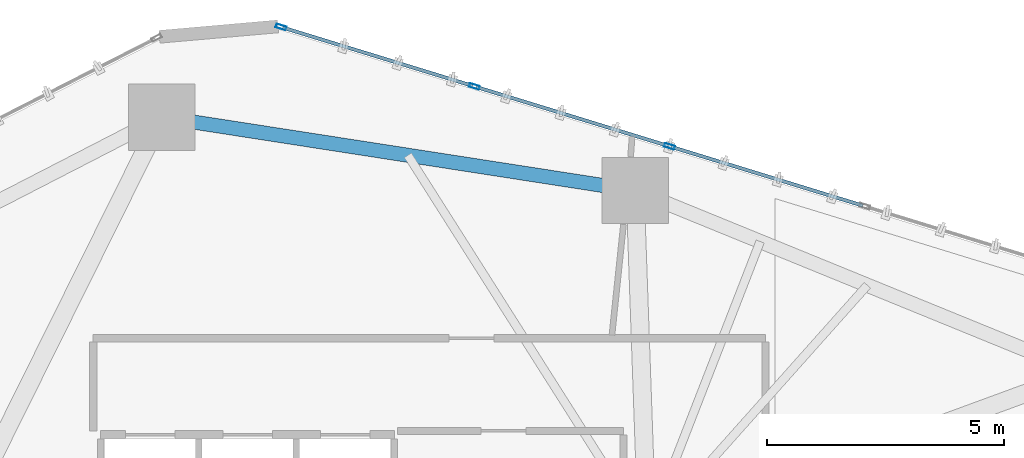
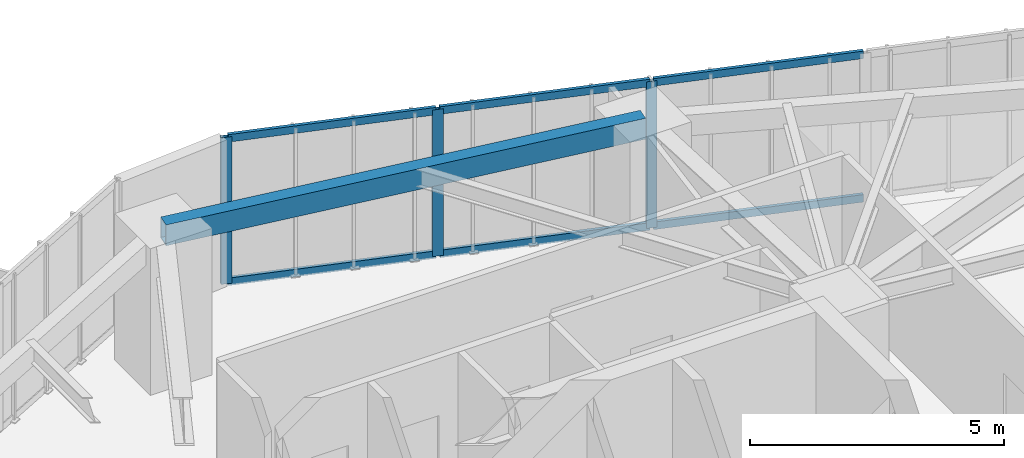
# One storey, part 16 of 24: 9 members, 1 beam, 1 element without a shape of its own.
"""IFC4 building model written with IfcOpenShell, lengths in metres."""

from ifc_helpers import new_model, si_unit, direction, frame, origin, origin_2d, place, context, subcontext, project, spatial, hollow_rectangle, extrude, source, transform, mapped, material, layer, layer_set, material_profile, profile_set, type_object, type_shapes, element, aggregate, save


model = new_model("IFC4")

# Units and contexts
model_context = context("Model", 3, precision=1e-05, world=origin(), true_north=direction((0.0, 1.0)))
body_context = subcontext(model_context, "Body", "Model", "MODEL_VIEW")
ifc_project = project(units=[si_unit("LENGTHUNIT", "METRE"), si_unit("AREAUNIT", "SQUARE_METRE"), si_unit("VOLUMEUNIT", "CUBIC_METRE"), si_unit("PLANEANGLEUNIT", "RADIAN"), si_unit("MASSUNIT", "GRAM", prefix="KILO")], contexts=[model_context])

# Site, building, storey
site_placement = place(None, origin())
site = spatial("IfcSite", under=ifc_project, at=site_placement, CompositionType="ELEMENT")
building_placement = place(site_placement, origin())
building = spatial("IfcBuilding", under=site, at=building_placement, Name="Talar Marvaseh", CompositionType="ELEMENT")
storey_placement = place(building_placement, frame((0.0, 0.0, 39.199951171875)))
storey = spatial("IfcBuildingStorey", under=building, at=storey_placement, Name="L09", CompositionType="ELEMENT", Elevation=39.199951171875)

# Beam
ifc_material_1 = material(Name="Steel S355", Category="steel")
ifc_material_profile_1 = material_profile(ifc_material_1, hollow_rectangle(XDim=0.300048828125, YDim=0.5, WallThickness=0.02001953125, at=origin_2d()), Name="RHS500x300x20")
ifc_profile_set_1 = profile_set([ifc_material_profile_1], Name="Steel S355")
beam_type = type_object("IfcBeamType", Name="Zone 1 Perimeter Spandrel Beam RHS500x300x20", PredefinedType="SPANDREL", material=ifc_profile_set_1)
beam_placement = place(storey_placement, frame((23.047119140625, 45.6669921875, 3.27001953125), z_axis=(0.988210751461, -0.153099675693, 0.0), x_axis=(0.153099675693, 0.988210751461, 0.0)))
element("IfcBeam", 1, at=beam_placement, inside=storey, type_object=beam_type, Name="L09 Zone 1 Perimeter Spandrel Beam RHS500x300x20", PredefinedType="SPANDREL", context=body_context, shape_type="SweptSolid", body=[
    extrude(hollow_rectangle(XDim=0.300048828125, YDim=0.5, WallThickness=0.02001953125, at=origin_2d()), origin(), (0.0, 0.0, 1.0), 10.1181640625),
])

# Curtain wall, members
ifc_material_2 = material(Name="Architectural Aluminium", Category="aluminium")
ifc_layer = layer(ifc_material_2, 0.219970703125)
ifc_layer_set = layer_set([ifc_layer], Name="Architectural Aluminium")
curtain_wall_type = type_object("IfcCurtainWallType", Name="Unitised Low-E Museum Curtain Wall Z1", PredefinedType="NOTDEFINED", material=ifc_layer_set)
curtain_wall_placement = place(storey_placement, origin())
curtain_wall = element("IfcCurtainWall", 2, at=curtain_wall_placement, inside=storey, type_object=curtain_wall_type, Name="L09 Unitised Low-E Museum Curtain Wall Z1", PredefinedType="NOTDEFINED")
ifc_material_profile_2 = material_profile(ifc_material_2, hollow_rectangle(XDim=0.080078125, YDim=0.219970703125, WallThickness=0.0048828125, at=origin_2d()), Name="RHS220x80x5")
ifc_profile_set_2 = profile_set([ifc_material_profile_2], Name="Architectural Aluminium")
member_type_1 = type_object("IfcMemberType", Name="Unitised Curtain Wall Heavy Mullion RHS220x80x5", PredefinedType="MULLION", material=ifc_profile_set_2)
shared_shape_1 = source(origin(), body_context, "Body", "SweptSolid", [
    extrude(hollow_rectangle(XDim=0.080078125, YDim=0.219970703125, WallThickness=0.0048828125, at=origin_2d()), origin(), (0.0, 0.0, 1.0), 3.52001953125),
])
type_shapes(member_type_1, [shared_shape_1])
member_1_placement = place(storey_placement, frame((25.56689453125, 47.5693359375, 0.0), z_axis=(0.0, 0.0, 1.0), x_axis=(0.293508478326, 0.955956470322, 0.0)))
member_1 = element("IfcMember", 3, at=member_1_placement, type_object=member_type_1, Name="CW-Z1 mullion 1", PredefinedType="MULLION", context=body_context, shape_type="MappedRepresentation", body=[
    mapped(shared_shape_1, transform((0.0, 0.0, 0.0), x_axis=(1.0, 0.0, 0.0), y_axis=(0.0, 1.0, 0.0), z_axis=(0.0, 0.0, 1.0), scale=1.0)),
])
member_2_placement = place(storey_placement, frame((29.650634765625, 46.3154296875, 0.0), z_axis=(0.0, 0.0, 1.0), x_axis=(0.293508478326, 0.955956470322, 0.0)))
member_2 = element("IfcMember", 4, at=member_2_placement, type_object=member_type_1, Name="CW-Z1 mullion 2", PredefinedType="MULLION", context=body_context, shape_type="MappedRepresentation", body=[
    mapped(shared_shape_1, transform((0.0, 0.0, 0.0), x_axis=(1.0, 0.0, 0.0), y_axis=(0.0, 1.0, 0.0), z_axis=(0.0, 0.0, 1.0), scale=1.0)),
])
member_3_placement = place(storey_placement, frame((33.7724609375, 45.0498046875, 0.0), z_axis=(0.0, 0.0, 1.0), x_axis=(0.293508478326, 0.955956470322, 0.0)))
member_3 = element("IfcMember", 5, at=member_3_placement, type_object=member_type_1, Name="CW-Z1 mullion 3", PredefinedType="MULLION", context=body_context, shape_type="MappedRepresentation", body=[
    mapped(shared_shape_1, transform((0.0, 0.0, 0.0), x_axis=(1.0, 0.0, 0.0), y_axis=(0.0, 1.0, 0.0), z_axis=(0.0, 0.0, 1.0), scale=1.0)),
])
ifc_material_profile_3 = material_profile(ifc_material_2, hollow_rectangle(XDim=0.074951171875, YDim=0.179931640625, WallThickness=0.0048828125, at=origin_2d()), Name="RHS180x75x5")
ifc_profile_set_3 = profile_set([ifc_material_profile_3], Name="Architectural Aluminium")
member_type_2 = type_object("IfcMemberType", Name="Unitised Curtain Wall Transom RHS180x75x5", PredefinedType="USERDEFINED", material=ifc_profile_set_3)
shared_shape_2 = source(origin(), body_context, "Body", "SweptSolid", [
    extrude(hollow_rectangle(XDim=0.074951171875, YDim=0.179931640625, WallThickness=0.0048828125, at=origin_2d()), origin(), (0.0, 0.0, 1.0), 4.19189453125),
])
member_4_placement = place(storey_placement, frame((25.60498046875, 47.5576171875, 0.03759765625), z_axis=(0.955950103518, -0.293529214191, 0.0), x_axis=(0.293529214191, 0.955950103518, 0.0)))
member_4 = element("IfcMember", 6, at=member_4_placement, type_object=member_type_2, Name="CW-Z1 transom 1.1", ObjectType="TRANSOM", PredefinedType="USERDEFINED", context=body_context, shape_type="MappedRepresentation", body=[
    mapped(shared_shape_2, transform((0.0, 0.0, 0.0), x_axis=(1.0, 0.0, 0.0), y_axis=(0.0, 1.0, 0.0), z_axis=(0.0, 0.0, 1.0), scale=1.0)),
])
member_5_placement = place(storey_placement, frame((25.60498046875, 47.5576171875, 3.482666015625), z_axis=(0.955950103518, -0.293529214191, 0.0), x_axis=(0.293529214191, 0.955950103518, 0.0)))
member_5 = element("IfcMember", 7, at=member_5_placement, type_object=member_type_2, Name="CW-Z1 transom 1.2", ObjectType="TRANSOM", PredefinedType="USERDEFINED", context=body_context, shape_type="MappedRepresentation", body=[
    mapped(shared_shape_2, transform((0.0, 0.0, 0.0), x_axis=(1.0, 0.0, 0.0), y_axis=(0.0, 1.0, 0.0), z_axis=(0.0, 0.0, 1.0), scale=1.0)),
])
shared_shape_3 = source(origin(), body_context, "Body", "SweptSolid", [
    extrude(hollow_rectangle(XDim=0.074951171875, YDim=0.179931640625, WallThickness=0.0048828125, at=origin_2d()), origin(), (0.0, 0.0, 1.0), 4.23193359375),
])
member_6_placement = place(storey_placement, frame((33.810791015625, 45.0380859375, 0.03759765625), z_axis=(0.955948493955, -0.29353445608, 0.0), x_axis=(0.29353445608, 0.955948493955, 0.0)))
member_6 = element("IfcMember", 8, at=member_6_placement, type_object=member_type_2, Name="CW-Z1 transom 3.1", ObjectType="TRANSOM", PredefinedType="USERDEFINED", context=body_context, shape_type="MappedRepresentation", body=[
    mapped(shared_shape_3, transform((0.0, 0.0, 0.0), x_axis=(1.0, 0.0, 0.0), y_axis=(0.0, 1.0, 0.0), z_axis=(0.0, 0.0, 1.0), scale=1.0)),
])
member_7_placement = place(storey_placement, frame((33.810791015625, 45.0380859375, 3.482666015625), z_axis=(0.955948493955, -0.29353445608, 0.0), x_axis=(0.29353445608, 0.955948493955, 0.0)))
member_7 = element("IfcMember", 9, at=member_7_placement, type_object=member_type_2, Name="CW-Z1 transom 3.2", ObjectType="TRANSOM", PredefinedType="USERDEFINED", context=body_context, shape_type="MappedRepresentation", body=[
    mapped(shared_shape_3, transform((0.0, 0.0, 0.0), x_axis=(1.0, 0.0, 0.0), y_axis=(0.0, 1.0, 0.0), z_axis=(0.0, 0.0, 1.0), scale=1.0)),
])
shared_shape_4 = source(origin(), body_context, "Body", "SweptSolid", [
    extrude(hollow_rectangle(XDim=0.074951171875, YDim=0.179931640625, WallThickness=0.0048828125, at=origin_2d()), origin(), (0.0, 0.0, 1.0), 4.232177734375),
])
type_shapes(member_type_2, [shared_shape_2, shared_shape_3, shared_shape_4])
member_8_placement = place(storey_placement, frame((29.688720703125, 46.3037109375, 0.03759765625), z_axis=(0.955953464388, -0.293518268469, 0.0), x_axis=(0.293518268469, 0.955953464388, 0.0)))
member_8 = element("IfcMember", 10, at=member_8_placement, type_object=member_type_2, Name="CW-Z1 transom 2.1", ObjectType="TRANSOM", PredefinedType="USERDEFINED", context=body_context, shape_type="MappedRepresentation", body=[
    mapped(shared_shape_4, transform((0.0, 0.0, 0.0), x_axis=(1.0, 0.0, 0.0), y_axis=(0.0, 1.0, 0.0), z_axis=(0.0, 0.0, 1.0), scale=1.0)),
])
member_9_placement = place(storey_placement, frame((29.688720703125, 46.3037109375, 3.482666015625), z_axis=(0.955953464388, -0.293518268469, 0.0), x_axis=(0.293518268469, 0.955953464388, 0.0)))
member_9 = element("IfcMember", 11, at=member_9_placement, type_object=member_type_2, Name="CW-Z1 transom 2.2", ObjectType="TRANSOM", PredefinedType="USERDEFINED", context=body_context, shape_type="MappedRepresentation", body=[
    mapped(shared_shape_4, transform((0.0, 0.0, 0.0), x_axis=(1.0, 0.0, 0.0), y_axis=(0.0, 1.0, 0.0), z_axis=(0.0, 0.0, 1.0), scale=1.0)),
])
aggregate(curtain_wall, [member_1, member_2, member_3, member_4, member_5, member_8, member_9, member_6, member_7])

save(model, "model.ifc")
